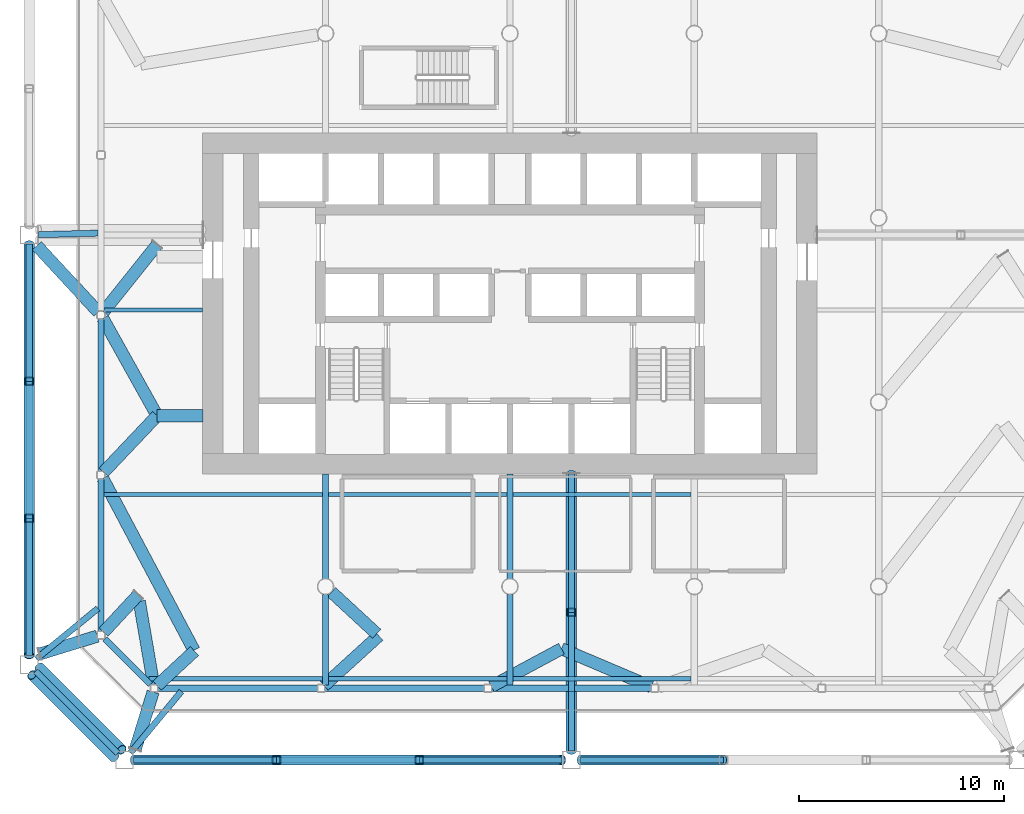
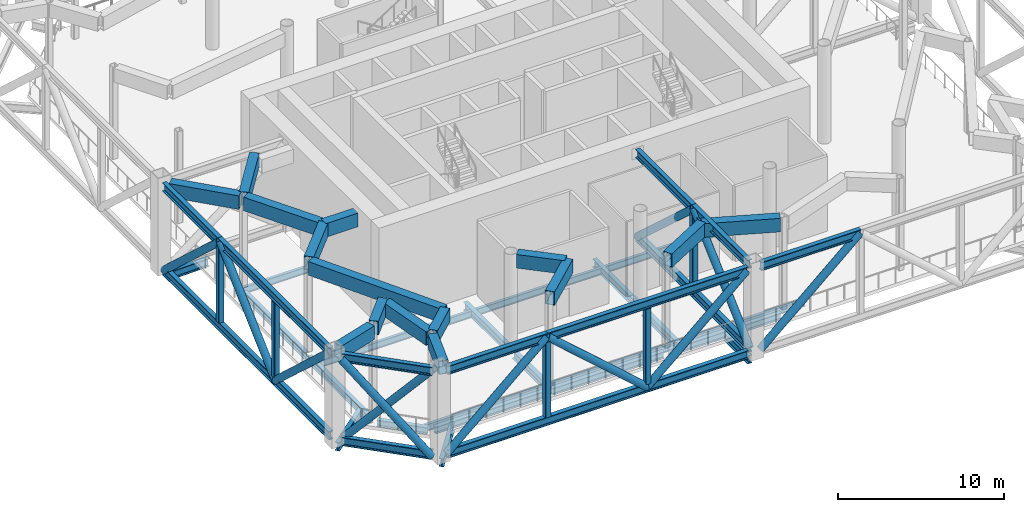
# One storey, part 3 of 20: 51 beams, 16 members.
"""IFC4 building model written with IfcOpenShell, lengths in metres."""

from ifc_helpers import new_model, si_unit, direction, frame, origin, origin_2d, place, context, subcontext, project, spatial, hollow_rectangle, hollow_circle, i_section, extrude, material, material_profile, profile_set, type_object, element, save


model = new_model("IFC4")

# Units and contexts
model_context = context("Model", 3, precision=1e-05, world=origin(), true_north=direction((0.0, 1.0)))
body_context = subcontext(model_context, "Body", "Model", "MODEL_VIEW")
ifc_project = project(units=[si_unit("LENGTHUNIT", "METRE"), si_unit("AREAUNIT", "SQUARE_METRE"), si_unit("VOLUMEUNIT", "CUBIC_METRE"), si_unit("PLANEANGLEUNIT", "RADIAN"), si_unit("MASSUNIT", "GRAM", prefix="KILO")], contexts=[model_context])

# Site, building, storey
site_placement = place(None, origin())
site = spatial("IfcSite", under=ifc_project, at=site_placement, CompositionType="ELEMENT")
building_placement = place(site_placement, origin())
building = spatial("IfcBuilding", under=site, at=building_placement, Name="Tskaro Facet Tower", CompositionType="ELEMENT")
storey_placement = place(building_placement, frame((0.0, 0.0, 114.300048828125)))
storey = spatial("IfcBuildingStorey", under=building, at=storey_placement, Name="L27", CompositionType="ELEMENT", Elevation=114.300048828125)

# Beams
ifc_material_1 = material(Name="Steel S355J2", Category="steel")
ifc_material_profile_1 = material_profile(ifc_material_1, hollow_rectangle(XDim=0.60009765625, YDim=1.0, WallThickness=0.0400390625, at=origin_2d()), Name="BOX 600x1000x40")
ifc_profile_set_1 = profile_set([ifc_material_profile_1], Name="Steel S355J2")
beam_type_1 = type_object("IfcBeamType", Name="BOX 600x1000x40 transfer girder", PredefinedType="BEAM", material=ifc_profile_set_1)
beam_1_placement = place(storey_placement, frame((-23.093505859375, -1.360595703125, 6.280029296875), z_axis=(0.679129108796, -0.734018837351, 0.0), x_axis=(0.734018837351, 0.679129108796, 0.0)))
element("IfcBeam", 1, at=beam_1_placement, inside=storey, type_object=beam_type_1, Name="BOX 600x1000x40 TG3-2", PredefinedType="BEAM", context=body_context, shape_type="SweptSolid", body=[
    extrude(hollow_rectangle(XDim=0.60009765625, YDim=1.0, WallThickness=0.0400390625, at=origin_2d()), origin(), (0.0, 0.0, 1.0), 4.416748046875),
])
for number, where, z_axis, x_axis, name in (
    (2, (-18.287841796875, -25.941650390625, 6.280029296875), (0.296388719587, 0.955067393906, 0.0), (-0.955067393906, 0.296388719587, 0.0), "BOX 600x1000x40 TG3-3"),
    (3, (-22.941650390625, -21.287841796875, 6.280029296875), (0.955067393906, 0.296388719587, 0.0), (-0.296388719587, 0.955067393906, 0.0), "BOX 600x1000x40 TG3-6"),
):
    element("IfcBeam", number, at=place(storey_placement, frame(where, z_axis=z_axis, x_axis=x_axis)), inside=storey, type_object=beam_type_1, Name=name, PredefinedType="BEAM", context=body_context, shape_type="SweptSolid", body=[
        extrude(hollow_rectangle(XDim=0.60009765625, YDim=1.0, WallThickness=0.0400390625, at=origin_2d()), origin(), (0.0, 0.0, 1.0), 2.9267578125),
    ])
beam_2_placement = place(storey_placement, frame((-15.402587890625, -21.147705078125, 6.280029296875), z_axis=(-0.733524709105, -0.679662784867, 0.0), x_axis=(0.679662784867, -0.733524709105, 0.0)))
element("IfcBeam", 4, at=beam_2_placement, inside=storey, type_object=beam_type_1, Name="BOX 600x1000x40 TG3-13", PredefinedType="BEAM", context=body_context, shape_type="SweptSolid", body=[
    extrude(hollow_rectangle(XDim=0.60009765625, YDim=1.0, WallThickness=0.0400390625, at=origin_2d()), origin(), (0.0, 0.0, 1.0), 2.48388671875),
])
beam_3_placement = place(storey_placement, frame((-15.421142578125, -21.112548828125, 6.280029296875), z_axis=(-0.468881526409, 0.88326106797, 0.0), x_axis=(-0.88326106797, -0.468881526409, 0.0)))
element("IfcBeam", 5, at=beam_3_placement, inside=storey, type_object=beam_type_1, Name="BOX 600x1000x40 TG3-14", PredefinedType="BEAM", context=body_context, shape_type="SweptSolid", body=[
    extrude(hollow_rectangle(XDim=0.60009765625, YDim=1.0, WallThickness=0.0400390625, at=origin_2d()), origin(), (0.0, 0.0, 1.0), 9.5009765625),
])
beam_4_placement = place(storey_placement, frame((-18.147705078125, -18.402587890625, 6.280029296875), z_axis=(-0.679662784867, -0.733524709105, 0.0), x_axis=(0.733524709105, -0.679662784867, 0.0)))
element("IfcBeam", 6, at=beam_4_placement, inside=storey, type_object=beam_type_1, Name="BOX 600x1000x40 TG3-19", PredefinedType="BEAM", context=body_context, shape_type="SweptSolid", body=[
    extrude(hollow_rectangle(XDim=0.60009765625, YDim=1.0, WallThickness=0.0400390625, at=origin_2d()), origin(), (0.0, 0.0, 1.0), 2.48388671875),
])
beam_5_placement = place(storey_placement, frame((-18.093505859375, -18.7177734375, 6.280029296875), z_axis=(0.169259895843, -0.985571452336, 0.0), x_axis=(0.985571452336, 0.169259895843, 0.0)))
element("IfcBeam", 7, at=beam_5_placement, inside=storey, type_object=beam_type_1, Name="BOX 600x1000x40 TG3-20", PredefinedType="BEAM", context=body_context, shape_type="SweptSolid", body=[
    extrude(hollow_rectangle(XDim=0.60009765625, YDim=1.0, WallThickness=0.0400390625, at=origin_2d()), origin(), (0.0, 0.0, 1.0), 4.119384765625),
])
beam_6_placement = place(storey_placement, frame((-17.22412109375, -9.656982421875, 6.280029296875), z_axis=(-0.687391486322, -0.726287095116, 0.0), x_axis=(0.726287095116, -0.687391486322, 0.0)))
element("IfcBeam", 8, at=beam_6_placement, inside=storey, type_object=beam_type_1, Name="BOX 600x1000x40 TG3-25", PredefinedType="BEAM", context=body_context, shape_type="SweptSolid", body=[
    extrude(hollow_rectangle(XDim=0.60009765625, YDim=1.0, WallThickness=0.0400390625, at=origin_2d()), origin(), (0.0, 0.0, 1.0), 3.79736328125),
])
beam_7_placement = place(storey_placement, frame((-17.243408203125, -9.6220703125, 6.280029296875), z_axis=(-0.487086227964, 0.873353883903, 0.0), x_axis=(-0.873353883903, -0.487086227964, 0.0)))
element("IfcBeam", 9, at=beam_7_placement, inside=storey, type_object=beam_type_1, Name="BOX 600x1000x40 TG3-26", PredefinedType="BEAM", context=body_context, shape_type="SweptSolid", body=[
    extrude(hollow_rectangle(XDim=0.60009765625, YDim=1.0, WallThickness=0.0400390625, at=origin_2d()), origin(), (0.0, 0.0, 1.0), 5.397705078125),
])
beam_8_placement = place(storey_placement, frame((-17.22412109375, -9.656982421875, 6.280029296875), z_axis=(1.0, 0.0, 0.0), x_axis=(0.0, 1.0, 0.0)))
element("IfcBeam", 10, at=beam_8_placement, inside=storey, type_object=beam_type_1, Name="BOX 600x1000x40 TG3-27", PredefinedType="BEAM", context=body_context, shape_type="SweptSolid", body=[
    extrude(hollow_rectangle(XDim=0.60009765625, YDim=1.0, WallThickness=0.0400390625, at=origin_2d()), origin(), (0.0, 0.0, 1.0), 2.234130859375),
])
beam_9_placement = place(storey_placement, frame((-6.40380859375, -20.400634765625, 6.280029296875), z_axis=(-0.739179163386, -0.673508845091, 0.0), x_axis=(0.673508845091, -0.739179163386, 0.0)))
element("IfcBeam", 11, at=beam_9_placement, inside=storey, type_object=beam_type_1, Name="BOX 600x1000x40 TG3-28", PredefinedType="BEAM", context=body_context, shape_type="SweptSolid", body=[
    extrude(hollow_rectangle(XDim=0.60009765625, YDim=1.0, WallThickness=0.0400390625, at=origin_2d()), origin(), (0.0, 0.0, 1.0), 3.6171875),
])
beam_10_placement = place(storey_placement, frame((-6.506591796875, -20.3056640625, 6.280029296875), z_axis=(-0.734197815245, 0.678935614097, 0.0), x_axis=(-0.678935614097, -0.734197815245, 0.0)))
element("IfcBeam", 12, at=beam_10_placement, inside=storey, type_object=beam_type_1, Name="BOX 600x1000x40 TG3-29", PredefinedType="BEAM", context=body_context, shape_type="SweptSolid", body=[
    extrude(hollow_rectangle(XDim=0.60009765625, YDim=1.0, WallThickness=0.0400390625, at=origin_2d()), origin(), (0.0, 0.0, 1.0), 2.999755859375),
])
beam_11_placement = place(storey_placement, frame((-17.22412109375, -1.31494140625, 6.280029296875), z_axis=(-0.624617034857, -0.780931213211, 0.0), x_axis=(0.780931213211, -0.624617034857, 0.0)))
element("IfcBeam", 13, at=beam_11_placement, inside=storey, type_object=beam_type_1, Name="BOX 600x1000x40 TG3-40", PredefinedType="BEAM", context=body_context, shape_type="SweptSolid", body=[
    extrude(hollow_rectangle(XDim=0.60009765625, YDim=1.0, WallThickness=0.0400390625, at=origin_2d()), origin(), (0.0, 0.0, 1.0), 4.1982421875),
])
beam_12_placement = place(storey_placement, frame((2.515625, -21.03466796875, 6.280029296875), z_axis=(-0.880680874469, -0.47371003509, 0.0), x_axis=(0.47371003509, -0.880680874469, 0.0)))
element("IfcBeam", 14, at=beam_12_placement, inside=storey, type_object=beam_type_1, Name="BOX 600x1000x40 TG3-42", PredefinedType="BEAM", context=body_context, shape_type="SweptSolid", body=[
    extrude(hollow_rectangle(XDim=0.60009765625, YDim=1.0, WallThickness=0.0400390625, at=origin_2d()), origin(), (0.0, 0.0, 1.0), 3.885009765625),
])
beam_13_placement = place(storey_placement, frame((2.515625, -21.03466796875, 6.280029296875), z_axis=(0.920805746294, -0.390021509141, 0.0), x_axis=(0.390021509141, 0.920805746294, 0.0)))
element("IfcBeam", 15, at=beam_13_placement, inside=storey, type_object=beam_type_1, Name="BOX 600x1000x40 TG3-43", PredefinedType="BEAM", context=body_context, shape_type="SweptSolid", body=[
    extrude(hollow_rectangle(XDim=0.60009765625, YDim=1.0, WallThickness=0.0400390625, at=origin_2d()), origin(), (0.0, 0.0, 1.0), 4.75927734375),
])

# Members
ifc_material_2 = material(Name="Steel S355J2H", Category="steel")
ifc_material_profile_2 = material_profile(ifc_material_2, hollow_circle(Radius=0.25390625, WallThickness=0.02490234375, at=origin_2d()), Name="CHS 508x25")
ifc_profile_set_2 = profile_set([ifc_material_profile_2], Name="Steel S355J2H")
member_type_1 = type_object("IfcMemberType", Name="CHS 508x25 belt diagonal", PredefinedType="BRACE", material=ifc_profile_set_2)
for number, where, z_axis, x_axis, name in (
    (16, (-18.364990234375, -26.467041015625, 0.31005859375), (0.749388134679, 0.0, 0.662130971638), (0.0, 1.0, 0.0), "CHS 508x25 BD2-011"),
    (17, (-11.393310546875, -26.467041015625, 6.469970703125), (0.749388134679, 0.0, -0.662130971638), (0.0, 1.0, 0.0), "CHS 508x25 BD2-012"),
    (18, (-4.421630859375, -26.467041015625, 0.31005859375), (0.749388134679, 0.0, 0.662130971638), (0.0, 1.0, 0.0), "CHS 508x25 BD2-013"),
    (19, (3.449951171875, -26.467041015625, 0.31005859375), (0.749388134679, 0.0, 0.662130971638), (0.0, 1.0, 0.0), "CHS 508x25 BD2-021"),
):
    element("IfcMember", number, at=place(storey_placement, frame(where, z_axis=z_axis, x_axis=x_axis)), inside=storey, type_object=member_type_1, Name=name, PredefinedType="BRACE", context=body_context, shape_type="SweptSolid", body=[
        extrude(hollow_circle(Radius=0.25390625, WallThickness=0.02490234375, at=origin_2d()), origin(), (0.0, 0.0, 1.0), 9.30322265625),
    ])
for number, where, z_axis, x_axis, name in (
    (20, (-23.467041015625, -1.287109375, 0.31005859375), (0.0, -0.735783347307, 0.677217000544), (1.0, 0.0, 0.0), "CHS 508x25 BD2-111"),
    (21, (-23.467041015625, -7.979736328125, 6.469970703125), (0.0, -0.735783347307, -0.677217000544), (1.0, 0.0, 0.0), "CHS 508x25 BD2-112"),
    (22, (-23.467041015625, -14.67236328125, 0.31005859375), (0.0, -0.735783347307, 0.677217000544), (1.0, 0.0, 0.0), "CHS 508x25 BD2-113"),
):
    element("IfcMember", number, at=place(storey_placement, frame(where, z_axis=z_axis, x_axis=x_axis)), inside=storey, type_object=member_type_1, Name=name, PredefinedType="BRACE", context=body_context, shape_type="SweptSolid", body=[
        extrude(hollow_circle(Radius=0.25390625, WallThickness=0.02490234375, at=origin_2d()), origin(), (0.0, 0.0, 1.0), 9.095947265625),
    ])
for number, where, z_axis, x_axis, name in (
    (23, (-22.96923828125, -21.95361328125, 0.31005859375), (0.479291848917, -0.479291848917, 0.735226935799), (0.707106781187, 0.707106781187, 0.0), "CHS 508x25 BD2-121"),
    (24, (-23.328369140625, -22.312744140625, 6.469970703125), (0.479291848917, -0.479291848917, -0.735226935799), (0.707106781187, 0.707106781187, 0.0), "CHS 508x25 BD2-122"),
):
    element("IfcMember", number, at=place(storey_placement, frame(where, z_axis=z_axis, x_axis=x_axis)), inside=storey, type_object=member_type_1, Name=name, PredefinedType="BRACE", context=body_context, shape_type="SweptSolid", body=[
        extrude(hollow_circle(Radius=0.25390625, WallThickness=0.02490234375, at=origin_2d()), origin(), (0.0, 0.0, 1.0), 8.378173828125),
    ])
ifc_material_profile_3 = material_profile(ifc_material_2, hollow_circle(Radius=0.25390625, WallThickness=0.02490234375, at=origin_2d()), Name="CHS 508x25")
ifc_profile_set_3 = profile_set([ifc_material_profile_3], Name="Steel S355J2H")
member_type_2 = type_object("IfcMemberType", Name="CHS 508x25 outrigger truss diagonal", PredefinedType="BRACE", material=ifc_profile_set_3)
for number, where, z_axis, x_axis, name in (
    (25, (3.0, -26.01708984375, 0.31005859375), (0.0, 0.739080543797, 0.673617064644), (-1.0, 0.0, 0.0), "Outrigger truss diagonal OR2S-D1"),
    (26, (3.0, -19.258544921875, 6.469970703125), (0.0, 0.739080543797, -0.673617064644), (-1.0, 0.0, 0.0), "Outrigger truss diagonal OR2S-D2"),
):
    element("IfcMember", number, at=place(storey_placement, frame(where, z_axis=z_axis, x_axis=x_axis)), inside=storey, type_object=member_type_2, Name=name, PredefinedType="BRACE", context=body_context, shape_type="SweptSolid", body=[
        extrude(hollow_circle(Radius=0.25390625, WallThickness=0.02490234375, at=origin_2d()), origin(), (0.0, 0.0, 1.0), 9.14453125),
    ])

# Beams
ifc_material_profile_4 = material_profile(ifc_material_1, i_section(OverallWidth=0.300048828125, OverallDepth=0.5, WebThickness=0.014404296875, FlangeThickness=0.028076171875, FilletRadius=0.027099609375, at=origin_2d()), Name="HE 500 B")
ifc_profile_set_4 = profile_set([ifc_material_profile_4], Name="Steel S355J2")
beam_type_2 = type_object("IfcBeamType", Name="HE 500 B ring beam", PredefinedType="BEAM", material=ifc_profile_set_4)
beam_14_placement = place(storey_placement, frame((-17.18408203125, -22.965087890625, -0.5), z_axis=(1.0, 0.0, 0.0), x_axis=(0.0, 1.0, 0.0)))
element("IfcBeam", 27, at=beam_14_placement, inside=storey, type_object=beam_type_2, Name="HE 500 B EB1-2", PredefinedType="BEAM", context=body_context, shape_type="SweptSolid", body=[
    extrude(i_section(OverallWidth=0.300048828125, OverallDepth=0.5, WebThickness=0.014404296875, FlangeThickness=0.028076171875, FilletRadius=0.027099609375, at=origin_2d()), origin(), (0.0, 0.0, 1.0), 7.7861328125),
])
beam_15_placement = place(storey_placement, frame((-9.0380859375, -22.965087890625, -0.5), z_axis=(1.0, 0.0, 0.0), x_axis=(0.0, 1.0, 0.0)))
element("IfcBeam", 28, at=beam_15_placement, inside=storey, type_object=beam_type_2, Name="HE 500 B EB2-2", PredefinedType="BEAM", context=body_context, shape_type="SweptSolid", body=[
    extrude(i_section(OverallWidth=0.300048828125, OverallDepth=0.5, WebThickness=0.014404296875, FlangeThickness=0.028076171875, FilletRadius=0.027099609375, at=origin_2d()), origin(), (0.0, 0.0, 1.0), 7.78515625),
])
beam_16_placement = place(storey_placement, frame((-0.89306640625, -22.965087890625, -0.5), z_axis=(1.0, 0.0, 0.0), x_axis=(0.0, 1.0, 0.0)))
element("IfcBeam", 29, at=beam_16_placement, inside=storey, type_object=beam_type_2, Name="HE 500 B EB3-2", PredefinedType="BEAM", context=body_context, shape_type="SweptSolid", body=[
    extrude(i_section(OverallWidth=0.300048828125, OverallDepth=0.5, WebThickness=0.014404296875, FlangeThickness=0.028076171875, FilletRadius=0.027099609375, at=origin_2d()), origin(), (0.0, 0.0, 1.0), 7.7861328125),
])
beam_17_placement = place(storey_placement, frame((-19.965087890625, -4.922119140625, -0.5), z_axis=(0.0, -1.0, 0.0), x_axis=(1.0, 0.0, 0.0)))
element("IfcBeam", 30, at=beam_17_placement, inside=storey, type_object=beam_type_2, Name="HE 500 B EB22-2", PredefinedType="BEAM", context=body_context, shape_type="SweptSolid", body=[
    extrude(i_section(OverallWidth=0.300048828125, OverallDepth=0.5, WebThickness=0.014404296875, FlangeThickness=0.028076171875, FilletRadius=0.027099609375, at=origin_2d()), origin(), (0.0, 0.0, 1.0), 7.450927734375),
])
beam_18_placement = place(storey_placement, frame((-19.965087890625, -12.73291015625, -0.5), z_axis=(0.0, -1.0, 0.0), x_axis=(1.0, 0.0, 0.0)))
element("IfcBeam", 31, at=beam_18_placement, inside=storey, type_object=beam_type_2, Name="HE 500 B EB23-2", PredefinedType="BEAM", context=body_context, shape_type="SweptSolid", body=[
    extrude(i_section(OverallWidth=0.300048828125, OverallDepth=0.5, WebThickness=0.014404296875, FlangeThickness=0.028076171875, FilletRadius=0.027099609375, at=origin_2d()), origin(), (0.0, 0.0, 1.0), 7.451171875),
])
beam_19_placement = place(storey_placement, frame((-19.779052734375, -20.5498046875, -0.5), z_axis=(0.707106781187, -0.707106781187, 0.0), x_axis=(0.707106781187, 0.707106781187, 0.0)))
element("IfcBeam", 32, at=beam_19_placement, inside=storey, type_object=beam_type_2, Name="HE 500 B EB24-2", PredefinedType="BEAM", context=body_context, shape_type="SweptSolid", body=[
    extrude(i_section(OverallWidth=0.300048828125, OverallDepth=0.5, WebThickness=0.014404296875, FlangeThickness=0.028076171875, FilletRadius=0.027099609375, at=origin_2d()), origin(), (0.0, 0.0, 1.0), 3.152587890625),
])
ifc_material_profile_5 = material_profile(ifc_material_1, i_section(OverallWidth=0.300048828125, OverallDepth=0.590087890625, WebThickness=0.012939453125, FlangeThickness=0.02490234375, FilletRadius=0.027099609375, at=origin_2d()), Name="HE 600 A")
ifc_profile_set_5 = profile_set([ifc_material_profile_5], Name="Steel S355J2")
beam_type_3 = type_object("IfcBeamType", Name="HE 600 A girder", PredefinedType="BEAM", material=ifc_profile_set_5)
beam_20_placement = place(storey_placement, frame((-9.0, -22.81494140625, -0.545166015625), z_axis=(0.0, 1.0, 0.0), x_axis=(-1.0, 0.0, 0.0)))
element("IfcBeam", 33, at=beam_20_placement, inside=storey, type_object=beam_type_3, Name="HE 600 A GB3-1-2", PredefinedType="BEAM", context=body_context, shape_type="SweptSolid", body=[
    extrude(i_section(OverallWidth=0.300048828125, OverallDepth=0.590087890625, WebThickness=0.012939453125, FlangeThickness=0.02490234375, FilletRadius=0.027099609375, at=origin_2d()), origin(), (0.0, 0.0, 1.0), 4.4384765625),
])
beam_21_placement = place(storey_placement, frame((-9.0, -17.62353515625, -0.545166015625), z_axis=(0.0, 1.0, 0.0), x_axis=(-1.0, 0.0, 0.0)))
element("IfcBeam", 34, at=beam_21_placement, inside=storey, type_object=beam_type_3, Name="HE 600 A GB3-2-2", PredefinedType="BEAM", context=body_context, shape_type="SweptSolid", body=[
    extrude(i_section(OverallWidth=0.300048828125, OverallDepth=0.590087890625, WebThickness=0.012939453125, FlangeThickness=0.02490234375, FilletRadius=0.027099609375, at=origin_2d()), origin(), (0.0, 0.0, 1.0), 5.12353515625),
])
beam_22_placement = place(storey_placement, frame((0.0, -22.81494140625, -0.545166015625), z_axis=(0.0, 1.0, 0.0), x_axis=(-1.0, 0.0, 0.0)))
element("IfcBeam", 35, at=beam_22_placement, inside=storey, type_object=beam_type_3, Name="HE 600 A GB4-1-2", PredefinedType="BEAM", context=body_context, shape_type="SweptSolid", body=[
    extrude(i_section(OverallWidth=0.300048828125, OverallDepth=0.590087890625, WebThickness=0.012939453125, FlangeThickness=0.02490234375, FilletRadius=0.027099609375, at=origin_2d()), origin(), (0.0, 0.0, 1.0), 4.4384765625),
])
beam_23_placement = place(storey_placement, frame((0.0, -17.62353515625, -0.545166015625), z_axis=(0.0, 1.0, 0.0), x_axis=(-1.0, 0.0, 0.0)))
element("IfcBeam", 36, at=beam_23_placement, inside=storey, type_object=beam_type_3, Name="HE 600 A GB4-2-2", PredefinedType="BEAM", context=body_context, shape_type="SweptSolid", body=[
    extrude(i_section(OverallWidth=0.300048828125, OverallDepth=0.590087890625, WebThickness=0.012939453125, FlangeThickness=0.02490234375, FilletRadius=0.027099609375, at=origin_2d()), origin(), (0.0, 0.0, 1.0), 5.12353515625),
])
ifc_material_profile_6 = material_profile(ifc_material_1, i_section(OverallWidth=0.300048828125, OverallDepth=0.60009765625, WebThickness=0.015380859375, FlangeThickness=0.030029296875, FilletRadius=0.027099609375, at=origin_2d()), Name="HE 600 B")
ifc_profile_set_6 = profile_set([ifc_material_profile_6], Name="Steel S355J2")
beam_type_4 = type_object("IfcBeamType", Name="HE 600 B floor strut", PredefinedType="BEAM", material=ifc_profile_set_6)
beam_24_placement = place(storey_placement, frame((-18.528076171875, -26.120361328125, -0.550048828125), z_axis=(0.637768735346, 0.770227914461, 0.0), x_axis=(-0.770227914461, 0.637768735346, 0.0)))
element("IfcBeam", 37, at=beam_24_placement, inside=storey, type_object=beam_type_4, Name="HE 600 B ES2-01", PredefinedType="BEAM", context=body_context, shape_type="SweptSolid", body=[
    extrude(i_section(OverallWidth=0.300048828125, OverallDepth=0.60009765625, WebThickness=0.015380859375, FlangeThickness=0.030029296875, FilletRadius=0.027099609375, at=origin_2d()), origin(), (0.0, 0.0, 1.0), 3.90185546875),
])
beam_25_placement = place(storey_placement, frame((3.0, -26.01708984375, -0.550048828125), z_axis=(0.0, 1.0, 0.0), x_axis=(-1.0, 0.0, 0.0)))
element("IfcBeam", 38, at=beam_25_placement, inside=storey, type_object=beam_type_4, Name="HE 600 B ES2-02", PredefinedType="BEAM", context=body_context, shape_type="SweptSolid", body=[
    extrude(i_section(OverallWidth=0.300048828125, OverallDepth=0.60009765625, WebThickness=0.015380859375, FlangeThickness=0.030029296875, FilletRadius=0.027099609375, at=origin_2d()), origin(), (0.0, 0.0, 1.0), 2.902099609375),
])
beam_26_placement = place(storey_placement, frame((-23.01708984375, -0.82470703125, -0.550048828125), z_axis=(0.999633310652, 0.027078482883, 0.0), x_axis=(-0.027078482883, 0.999633310652, 0.0)))
element("IfcBeam", 39, at=beam_26_placement, inside=storey, type_object=beam_type_4, Name="HE 600 B ES2-11", PredefinedType="BEAM", context=body_context, shape_type="SweptSolid", body=[
    extrude(i_section(OverallWidth=0.300048828125, OverallDepth=0.60009765625, WebThickness=0.015380859375, FlangeThickness=0.030029296875, FilletRadius=0.027099609375, at=origin_2d()), origin(), (0.0, 0.0, 1.0), 2.903076171875),
])
beam_27_placement = place(storey_placement, frame((-23.118896484375, -21.52978515625, -0.550048828125), z_axis=(0.773368865946, 0.633956305423, 0.0), x_axis=(-0.633956305423, 0.773368865946, 0.0)))
element("IfcBeam", 40, at=beam_27_placement, inside=storey, type_object=beam_type_4, Name="HE 600 B ES2-12", PredefinedType="BEAM", context=body_context, shape_type="SweptSolid", body=[
    extrude(i_section(OverallWidth=0.300048828125, OverallDepth=0.60009765625, WebThickness=0.015380859375, FlangeThickness=0.030029296875, FilletRadius=0.027099609375, at=origin_2d()), origin(), (0.0, 0.0, 1.0), 3.88427734375),
])
ifc_material_profile_7 = material_profile(ifc_material_1, i_section(OverallWidth=0.304931640625, OverallDepth=0.6201171875, WebThickness=0.02099609375, FlangeThickness=0.0400390625, FilletRadius=0.027099609375, at=origin_2d()), Name="HE 600 M")
ifc_profile_set_7 = profile_set([ifc_material_profile_7], Name="Steel S355J2")
beam_type_5 = type_object("IfcBeamType", Name="HE 600 M belt chord", PredefinedType="BEAM", material=ifc_profile_set_7)
beam_28_placement = place(storey_placement, frame((-18.364990234375, -26.467041015625, 6.469970703125), z_axis=(1.0, 0.0, 0.0), x_axis=(0.0, 1.0, 0.0)))
element("IfcBeam", 41, at=beam_28_placement, inside=storey, type_object=beam_type_5, Name="HE 600 M BT2-01T1", PredefinedType="BEAM", context=body_context, shape_type="SweptSolid", body=[
    extrude(i_section(OverallWidth=0.304931640625, OverallDepth=0.6201171875, WebThickness=0.02099609375, FlangeThickness=0.0400390625, FilletRadius=0.027099609375, at=origin_2d()), origin(), (0.0, 0.0, 1.0), 6.9716796875),
])
for number, where, z_axis, x_axis, name in (
    (42, (-11.393310546875, -26.467041015625, 6.469970703125), (1.0, 0.0, 0.0), (0.0, 1.0, 0.0), "HE 600 M BT2-01T2"),
    (43, (-18.364990234375, -26.467041015625, 0.31005859375), (1.0, 0.0, 0.0), (0.0, 1.0, 0.0), "HE 600 M BT2-01B1"),
):
    element("IfcBeam", number, at=place(storey_placement, frame(where, z_axis=z_axis, x_axis=x_axis)), inside=storey, type_object=beam_type_5, Name=name, PredefinedType="BEAM", context=body_context, shape_type="SweptSolid", body=[
        extrude(i_section(OverallWidth=0.304931640625, OverallDepth=0.6201171875, WebThickness=0.02099609375, FlangeThickness=0.0400390625, FilletRadius=0.027099609375, at=origin_2d()), origin(), (0.0, 0.0, 1.0), 13.943359375),
    ])
for number, where, z_axis, x_axis, name in (
    (44, (-4.421630859375, -26.467041015625, 0.31005859375), (1.0, 0.0, 0.0), (0.0, 1.0, 0.0), "HE 600 M BT2-01B2"),
    (45, (3.449951171875, -26.467041015625, 6.469970703125), (1.0, 0.0, 0.0), (0.0, 1.0, 0.0), "HE 600 M BT2-02T1"),
):
    element("IfcBeam", number, at=place(storey_placement, frame(where, z_axis=z_axis, x_axis=x_axis)), inside=storey, type_object=beam_type_5, Name=name, PredefinedType="BEAM", context=body_context, shape_type="SweptSolid", body=[
        extrude(i_section(OverallWidth=0.304931640625, OverallDepth=0.6201171875, WebThickness=0.02099609375, FlangeThickness=0.0400390625, FilletRadius=0.027099609375, at=origin_2d()), origin(), (0.0, 0.0, 1.0), 6.9716796875),
    ])
beam_29_placement = place(storey_placement, frame((-23.467041015625, -1.287109375, 6.469970703125), z_axis=(0.0, -1.0, 0.0), x_axis=(1.0, 0.0, 0.0)))
element("IfcBeam", 46, at=beam_29_placement, inside=storey, type_object=beam_type_5, Name="HE 600 M BT2-11T1", PredefinedType="BEAM", context=body_context, shape_type="SweptSolid", body=[
    extrude(i_section(OverallWidth=0.304931640625, OverallDepth=0.6201171875, WebThickness=0.02099609375, FlangeThickness=0.0400390625, FilletRadius=0.027099609375, at=origin_2d()), origin(), (0.0, 0.0, 1.0), 6.692626953125),
])
for number, where, z_axis, x_axis, name in (
    (47, (-23.467041015625, -7.979736328125, 6.469970703125), (0.0, -1.0, 0.0), (1.0, 0.0, 0.0), "HE 600 M BT2-11T2"),
    (48, (-23.467041015625, -1.287109375, 0.31005859375), (0.0, -1.0, 0.0), (1.0, 0.0, 0.0), "HE 600 M BT2-11B1"),
):
    element("IfcBeam", number, at=place(storey_placement, frame(where, z_axis=z_axis, x_axis=x_axis)), inside=storey, type_object=beam_type_5, Name=name, PredefinedType="BEAM", context=body_context, shape_type="SweptSolid", body=[
        extrude(i_section(OverallWidth=0.304931640625, OverallDepth=0.6201171875, WebThickness=0.02099609375, FlangeThickness=0.0400390625, FilletRadius=0.027099609375, at=origin_2d()), origin(), (0.0, 0.0, 1.0), 13.38525390625),
    ])
beam_30_placement = place(storey_placement, frame((-23.467041015625, -14.67236328125, 0.31005859375), z_axis=(0.0, -1.0, 0.0), x_axis=(1.0, 0.0, 0.0)))
element("IfcBeam", 49, at=beam_30_placement, inside=storey, type_object=beam_type_5, Name="HE 600 M BT2-11B2", PredefinedType="BEAM", context=body_context, shape_type="SweptSolid", body=[
    extrude(i_section(OverallWidth=0.304931640625, OverallDepth=0.6201171875, WebThickness=0.02099609375, FlangeThickness=0.0400390625, FilletRadius=0.027099609375, at=origin_2d()), origin(), (0.0, 0.0, 1.0), 6.692626953125),
])
for number, where, z_axis, x_axis, name in (
    (50, (-23.148681640625, -22.13330078125, 6.469970703125), (0.707106781187, -0.707106781187, 0.0), (0.707106781187, 0.707106781187, 0.0), "HE 600 M BT2-12T1"),
    (51, (-23.148681640625, -22.13330078125, 0.31005859375), (0.707106781187, -0.707106781187, 0.0), (0.707106781187, 0.707106781187, 0.0), "HE 600 M BT2-12B1"),
):
    element("IfcBeam", number, at=place(storey_placement, frame(where, z_axis=z_axis, x_axis=x_axis)), inside=storey, type_object=beam_type_5, Name=name, PredefinedType="BEAM", context=body_context, shape_type="SweptSolid", body=[
        extrude(i_section(OverallWidth=0.304931640625, OverallDepth=0.6201171875, WebThickness=0.02099609375, FlangeThickness=0.0400390625, FilletRadius=0.027099609375, at=origin_2d()), origin(), (0.0, 0.0, 1.0), 5.6787109375),
    ])
ifc_material_profile_8 = material_profile(ifc_material_1, i_section(OverallWidth=0.304931640625, OverallDepth=0.6201171875, WebThickness=0.02099609375, FlangeThickness=0.0400390625, FilletRadius=0.027099609375, at=origin_2d()), Name="HE 600 M")
ifc_profile_set_8 = profile_set([ifc_material_profile_8], Name="Steel S355J2")
beam_type_6 = type_object("IfcBeamType", Name="HE 600 M outrigger truss chord", PredefinedType="BEAM", material=ifc_profile_set_8)
for number, where, z_axis, x_axis, name in (
    (52, (3.0, -26.01708984375, 6.469970703125), (0.0, 1.0, 0.0), (-1.0, 0.0, 0.0), "Outrigger truss chord OR2S-T1"),
    (53, (3.0, -26.01708984375, 0.31005859375), (0.0, 1.0, 0.0), (-1.0, 0.0, 0.0), "Outrigger truss chord OR2S-B1"),
    (54, (3.0, -19.258544921875, 6.469970703125), (0.0, 1.0, 0.0), (-1.0, 0.0, 0.0), "Outrigger truss chord OR2S-T2"),
    (55, (3.0, -19.258544921875, 0.31005859375), (0.0, 1.0, 0.0), (-1.0, 0.0, 0.0), "Outrigger truss chord OR2S-B2"),
):
    element("IfcBeam", number, at=place(storey_placement, frame(where, z_axis=z_axis, x_axis=x_axis)), inside=storey, type_object=beam_type_6, Name=name, PredefinedType="BEAM", context=body_context, shape_type="SweptSolid", body=[
        extrude(i_section(OverallWidth=0.304931640625, OverallDepth=0.6201171875, WebThickness=0.02099609375, FlangeThickness=0.0400390625, FilletRadius=0.027099609375, at=origin_2d()), origin(), (0.0, 0.0, 1.0), 6.758544921875),
    ])
ifc_material_profile_9 = material_profile(ifc_material_1, i_section(OverallWidth=0.199951171875, OverallDepth=0.5, WebThickness=0.01025390625, FlangeThickness=0.01611328125, FilletRadius=0.02099609375, at=origin_2d()), Name="IPE 500")
ifc_profile_set_9 = profile_set([ifc_material_profile_9], Name="Steel S355J2")
beam_type_7 = type_object("IfcBeamType", Name="IPE 500 secondary beam", PredefinedType="BEAM", material=ifc_profile_set_9)
beam_31_placement = place(storey_placement, frame((-17.616943359375, -22.5, -0.5), z_axis=(1.0, 0.0, 0.0), x_axis=(0.0, 1.0, 0.0)))
element("IfcBeam", 56, at=beam_31_placement, inside=storey, type_object=beam_type_7, Name="IPE 500 SB1a-1-2", PredefinedType="BEAM", context=body_context, shape_type="SweptSolid", body=[
    extrude(i_section(OverallWidth=0.199951171875, OverallDepth=0.5, WebThickness=0.01025390625, FlangeThickness=0.01611328125, FilletRadius=0.02099609375, at=origin_2d()), origin(), (0.0, 0.0, 1.0), 8.467041015625),
])
for number, where, z_axis, x_axis, name in (
    (57, (-8.85009765625, -22.5, -0.5), (1.0, 0.0, 0.0), (0.0, 1.0, 0.0), "IPE 500 SB1a-2-2"),
    (58, (0.14990234375, -22.5, -0.5), (1.0, 0.0, 0.0), (0.0, 1.0, 0.0), "IPE 500 SB1a-3-2"),
):
    element("IfcBeam", number, at=place(storey_placement, frame(where, z_axis=z_axis, x_axis=x_axis)), inside=storey, type_object=beam_type_7, Name=name, PredefinedType="BEAM", context=body_context, shape_type="SweptSolid", body=[
        extrude(i_section(OverallWidth=0.199951171875, OverallDepth=0.5, WebThickness=0.01025390625, FlangeThickness=0.01611328125, FilletRadius=0.02099609375, at=origin_2d()), origin(), (0.0, 0.0, 1.0), 8.7001953125),
    ])
beam_32_placement = place(storey_placement, frame((-19.81494140625, -13.5, -0.5), z_axis=(1.0, 0.0, 0.0), x_axis=(0.0, 1.0, 0.0)))
element("IfcBeam", 59, at=beam_32_placement, inside=storey, type_object=beam_type_7, Name="IPE 500 SB2a-1-2", PredefinedType="BEAM", context=body_context, shape_type="SweptSolid", body=[
    extrude(i_section(OverallWidth=0.199951171875, OverallDepth=0.5, WebThickness=0.01025390625, FlangeThickness=0.01611328125, FilletRadius=0.02099609375, at=origin_2d()), origin(), (0.0, 0.0, 1.0), 10.6650390625),
])
for number, where, z_axis, x_axis, name in (
    (60, (-8.85009765625, -13.5, -0.5), (1.0, 0.0, 0.0), (0.0, 1.0, 0.0), "IPE 500 SB2a-2-2"),
    (61, (0.14990234375, -13.5, -0.5), (1.0, 0.0, 0.0), (0.0, 1.0, 0.0), "IPE 500 SB2a-3-2"),
):
    element("IfcBeam", number, at=place(storey_placement, frame(where, z_axis=z_axis, x_axis=x_axis)), inside=storey, type_object=beam_type_7, Name=name, PredefinedType="BEAM", context=body_context, shape_type="SweptSolid", body=[
        extrude(i_section(OverallWidth=0.199951171875, OverallDepth=0.5, WebThickness=0.01025390625, FlangeThickness=0.01611328125, FilletRadius=0.02099609375, at=origin_2d()), origin(), (0.0, 0.0, 1.0), 8.7001953125),
    ])
beam_33_placement = place(storey_placement, frame((-19.81494140625, -4.5, -0.5), z_axis=(1.0, 0.0, 0.0), x_axis=(0.0, 1.0, 0.0)))
element("IfcBeam", 62, at=beam_33_placement, inside=storey, type_object=beam_type_7, Name="IPE 500 SB3a-1-2", PredefinedType="BEAM", context=body_context, shape_type="SweptSolid", body=[
    extrude(i_section(OverallWidth=0.199951171875, OverallDepth=0.5, WebThickness=0.01025390625, FlangeThickness=0.01611328125, FilletRadius=0.02099609375, at=origin_2d()), origin(), (0.0, 0.0, 1.0), 4.81494140625),
])

# Members
ifc_material_profile_10 = material_profile(ifc_material_2, hollow_rectangle(XDim=0.39990234375, YDim=0.39990234375, WallThickness=0.02490234375, InnerFilletRadius=0.03759765625, OuterFilletRadius=0.0625, at=origin_2d()), Name="SHS 400x400x25")
ifc_profile_set_10 = profile_set([ifc_material_profile_10], Name="Steel S355J2H")
member_type_3 = type_object("IfcMemberType", Name="SHS 400x400x25 belt post", PredefinedType="POST", material=ifc_profile_set_10)
for number, where, z_axis, x_axis, name in (
    (63, (-11.393310546875, -26.467041015625, 0.619873046875), (0.0, 0.0, 1.0), (1.0, 0.0, 0.0), "SHS 400x400x25 BP2-011"),
    (64, (-4.421630859375, -26.467041015625, 0.619873046875), (0.0, 0.0, 1.0), (1.0, 0.0, 0.0), "SHS 400x400x25 BP2-012"),
    (65, (-23.467041015625, -7.979736328125, 0.619873046875), (0.0, 0.0, 1.0), (1.0, 0.0, 0.0), "SHS 400x400x25 BP2-111"),
    (66, (-23.467041015625, -14.67236328125, 0.619873046875), (0.0, 0.0, 1.0), (1.0, 0.0, 0.0), "SHS 400x400x25 BP2-112"),
):
    element("IfcMember", number, at=place(storey_placement, frame(where, z_axis=z_axis, x_axis=x_axis)), inside=storey, type_object=member_type_3, Name=name, PredefinedType="POST", context=body_context, shape_type="SweptSolid", body=[
        extrude(hollow_rectangle(XDim=0.39990234375, YDim=0.39990234375, WallThickness=0.02490234375, InnerFilletRadius=0.03759765625, OuterFilletRadius=0.0625, at=origin_2d()), origin(), (0.0, 0.0, 1.0), 5.5400390625),
    ])
ifc_material_profile_11 = material_profile(ifc_material_2, hollow_rectangle(XDim=0.39990234375, YDim=0.39990234375, WallThickness=0.02490234375, InnerFilletRadius=0.03759765625, OuterFilletRadius=0.0625, at=origin_2d()), Name="SHS 400x400x25")
ifc_profile_set_11 = profile_set([ifc_material_profile_11], Name="Steel S355J2H")
member_type_4 = type_object("IfcMemberType", Name="SHS 400x400x25 outrigger truss post", PredefinedType="POST", material=ifc_profile_set_11)
member_placement = place(storey_placement, frame((3.0, -19.258544921875, 0.579833984375), z_axis=(0.0, 0.0, 1.0), x_axis=(1.0, 0.0, 0.0)))
element("IfcMember", 67, at=member_placement, inside=storey, type_object=member_type_4, Name="Outrigger truss post OR2S-P1", PredefinedType="POST", context=body_context, shape_type="SweptSolid", body=[
    extrude(hollow_rectangle(XDim=0.39990234375, YDim=0.39990234375, WallThickness=0.02490234375, InnerFilletRadius=0.03759765625, OuterFilletRadius=0.0625, at=origin_2d()), origin(), (0.0, 0.0, 1.0), 5.6201171875),
])

save(model, "model.ifc")
